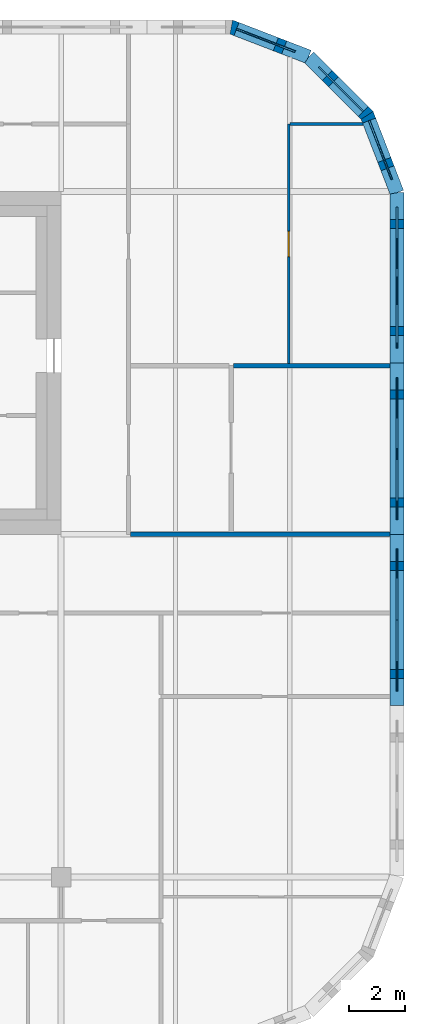
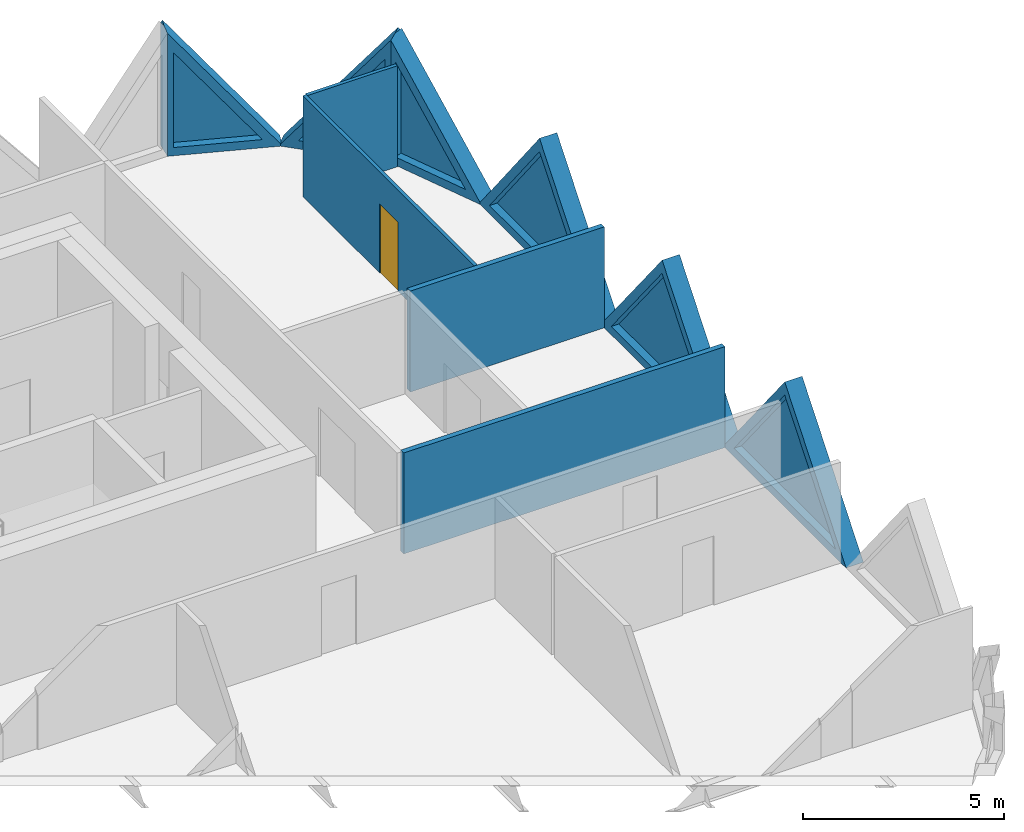
# One storey, part 16 of 19: 10 walls, 6 plates, 1 door, 7 openings.
"""IFC4 building model written with IfcOpenShell, lengths in metres."""

from ifc_helpers import new_model, si_unit, direction, frame, frame_2d, origin, place, context, subcontext, project, spatial, polyline, rectangle, outline, extrude, faceted_brep, source, transform, mapped, material, layer, layer_set, type_object, element, fill, save


model = new_model("IFC4")

# Units and contexts
model_context = context("Model", 3, precision=1e-05, world=origin(), true_north=direction((0.0, 1.0)))
body_context = subcontext(model_context, "Body", "Model", "MODEL_VIEW")
ifc_project = project(units=[si_unit("LENGTHUNIT", "METRE"), si_unit("AREAUNIT", "SQUARE_METRE"), si_unit("VOLUMEUNIT", "CUBIC_METRE"), si_unit("PLANEANGLEUNIT", "RADIAN"), si_unit("MASSUNIT", "GRAM", prefix="KILO")], contexts=[model_context])

# Site, building, storey
site_placement = place(None, origin())
site = spatial("IfcSite", under=ifc_project, at=site_placement, CompositionType="ELEMENT")
building_placement = place(site_placement, origin())
building = spatial("IfcBuilding", under=site, at=building_placement, Name="Tessera Gate Towers", CompositionType="ELEMENT")
storey_placement = place(building_placement, frame((0.0, 0.0, 68.60009765625)))
storey = spatial("IfcBuildingStorey", under=building, at=storey_placement, Name="L16", CompositionType="ELEMENT", Elevation=68.60009765625)

# Wall
ifc_material_1 = material(Name="Gypsum board on steel studs, mineral wool", Category="steel")
ifc_layer_1 = layer(ifc_material_1, 0.14990234375)
ifc_layer_set_1 = layer_set([ifc_layer_1], Name="CORRIDOR WALL 150")
wall_type_1 = type_object("IfcWallType", Name="CORRIDOR WALL 150", PredefinedType="PARTITIONING", material=ifc_layer_set_1)
wall_1_placement = place(storey_placement, frame((124.47607421875, 36.60009765625, 0.0), z_axis=(0.0, 0.0, 1.0), x_axis=(1.0, 0.0, 0.0)))
element("IfcWall", 1, at=wall_1_placement, inside=storey, type_object=wall_type_1, Name="T2-L16-PW-031", PredefinedType="PARTITIONING", context=body_context, shape_type="SweptSolid", body=[
    extrude(rectangle(XDim=9.223876953125, YDim=0.14990234375, at=frame_2d((4.61181640625, 0.0))), origin(), (0.0, 0.0, 1.0), 3.06689453125),
])

# Wall, opening, door
ifc_material_2 = material(Name="Glass", Category="glass")
ifc_layer_2 = layer(ifc_material_2, 0.10009765625)
ifc_layer_set_2 = layer_set([ifc_layer_2], Name="GLAZED PARTITION 100")
wall_type_2 = type_object("IfcWallType", Name="GLAZED PARTITION 100", PredefinedType="PARTITIONING", material=ifc_layer_set_2)
wall_2_placement = place(storey_placement, frame((130.10009765625, 51.199951171875, 0.0), z_axis=(0.0, 0.0, 1.0), x_axis=(0.0, -1.0, 0.0)))
wall_2 = element("IfcWall", 2, at=wall_2_placement, inside=storey, type_object=wall_type_2, Name="T2-L16-PW-038", PredefinedType="PARTITIONING", context=body_context, shape_type="SweptSolid", body=[
    extrude(rectangle(XDim=8.52392578125, YDim=0.10009765625, at=frame_2d((4.261962890625, 0.0))), origin(), (0.0, 0.0, 1.0), 3.06689453125),
])
shared_shape_1 = source(origin(), body_context, "Body", "SweptSolid", [
    extrude(rectangle(XDim=0.89990234375, YDim=2.10009765625, at=frame_2d((0.449951171875, 1.050048828125))), frame((0.0, 0.06005859375, 0.0), z_axis=(0.0, -1.0, 0.0), x_axis=(1.0, 0.0, 0.0)), (0.0, 0.0, 1.0), 0.1201171875),
])
opening_1_placement = place(wall_2_placement, frame((3.823974609375, 0.0, 0.0)))
opening_1 = element("IfcOpeningElement", 3, at=opening_1_placement, cuts=wall_2, Name="Opening D690-B07-03", PredefinedType="OPENING", context=body_context, shape_type="MappedRepresentation", body=[
    mapped(shared_shape_1, transform((0.0, 0.0, 0.0), scale=1.0)),
])
ifc_material_3 = material(Name="Glass in aluminium frame", Category="aluminium")
door_type = type_object("IfcDoorType", Name="GLAZED DOOR 900 NOT RATED", OperationType="NOTDEFINED", PredefinedType="DOOR", material=ifc_material_3)
shared_shape_2 = source(origin(), body_context, "Body", "SweptSolid", [
    extrude(rectangle(XDim=0.89990234375, YDim=2.10009765625, at=frame_2d((0.449951171875, 1.050048828125))), frame((0.0, 0.02490234375, 0.0), z_axis=(0.0, -1.0, 0.0), x_axis=(1.0, 0.0, 0.0)), (0.0, 0.0, 1.0), 0.050048828125),
])
door_placement = place(opening_1_placement, origin())
door = element("IfcDoor", 4, at=door_placement, inside=storey, type_object=door_type, Name="T2-L16-PD-026", OperationType="SINGLE_SWING_RIGHT", OverallHeight=2.10009765625, OverallWidth=0.89990234375, PredefinedType="DOOR", context=body_context, shape_type="MappedRepresentation", body=[
    mapped(shared_shape_2, transform((0.0, 0.0, 0.0), scale=1.0)),
])
fill(opening_1, door)

# Walls
wall_3_placement = place(storey_placement, frame((130.15087890625, 51.199951171875, 0.0), z_axis=(0.0, 0.0, 1.0), x_axis=(1.0, 0.0, 0.0)))
element("IfcWall", 5, at=wall_3_placement, inside=storey, type_object=wall_type_2, Name="T2-L16-PW-048", PredefinedType="PARTITIONING", context=body_context, shape_type="SweptSolid", body=[
    extrude(rectangle(XDim=2.58740234375, YDim=0.10009765625, at=frame_2d((1.293701171875, 0.0))), origin(), (0.0, 0.0, 1.0), 3.06689453125),
])
ifc_material_4 = material(Name="Gypsum board on steel studs, mineral wool", Category="steel")
ifc_layer_3 = layer(ifc_material_4, 0.14990234375)
ifc_layer_set_3 = layer_set([ifc_layer_3], Name="TENANCY WALL 150")
wall_type_3 = type_object("IfcWallType", Name="TENANCY WALL 150", PredefinedType="PARTITIONING", material=ifc_layer_set_3)
wall_4_placement = place(storey_placement, frame((128.1259765625, 42.60009765625, 0.0), z_axis=(0.0, 0.0, 1.0), x_axis=(1.0, 0.0, 0.0)))
element("IfcWall", 6, at=wall_4_placement, inside=storey, type_object=wall_type_3, Name="T2-L16-PW-037", PredefinedType="PARTITIONING", context=body_context, shape_type="SweptSolid", body=[
    extrude(rectangle(XDim=5.573974609375, YDim=0.14990234375, at=frame_2d((2.787109375, 0.0))), origin(), (0.0, 0.0, 1.0), 3.06689453125),
])

# Wall, opening, plate
ifc_material_5 = material(Name="Precast concrete C60/75 white", Category="concrete")
ifc_layer_4 = layer(ifc_material_5, 0.5)
ifc_layer_set_4 = layer_set([ifc_layer_4], Name="TS2 half tessera")
wall_type_4 = type_object("IfcWallType", Name="TS2 half tessera", PredefinedType="SOLIDWALL", material=ifc_layer_set_4)
shared_shape_3 = source(origin(), body_context, "Body", "Brep", [
    faceted_brep([(6.099853515625, -0.25, 0.000244140625), (3.050048828125, -0.25, 3.7998046875), (0.0, -0.25, 0.0), (6.099853515625, -0.25, 0.0), (0.0, 0.25, 0.0), (3.050048828125, 0.25, 3.7998046875), (6.099853515625, 0.25, 0.000244140625), (6.099853515625, 0.25, 0.0)], [[[0, 1, 2, 3]], [[4, 5, 6, 7]], [[6, 5, 1, 0]], [[5, 4, 2, 1]], [[4, 7, 3, 2]], [[3, 7, 6, 0]]]),
])
wall_5_placement = place(storey_placement, frame((133.949951171875, 36.60009765625, 0.0), z_axis=(0.0, 0.0, 1.0), x_axis=(0.0, 1.0, 0.0)))
wall_5 = element("IfcWall", 7, at=wall_5_placement, inside=storey, type_object=wall_type_4, Name="Precast half tessera T2 TS2-0079", PredefinedType="SOLIDWALL", context=body_context, shape_type="MappedRepresentation", body=[
    mapped(shared_shape_3, transform((0.0, 0.0, 0.0), scale=1.0)),
])
shared_shape_4 = source(origin(), body_context, "Body", "SweptSolid", [
    extrude(outline(polyline([(5.578857421875, 0.25), (3.050048828125, 3.400390625), (0.521240234375, 0.25), (5.578857421875, 0.25)])), frame((0.0, 0.260009765625, 0.0), z_axis=(0.0, -1.0, 0.0), x_axis=(1.0, 0.0, 0.0)), (0.0, 0.0, 1.0), 0.52001953125),
])
opening_2_placement = place(wall_5_placement, origin())
opening_2 = element("IfcOpeningElement", 8, at=opening_2_placement, cuts=wall_5, Name="Opening T2-PL1-0149", PredefinedType="OPENING", context=body_context, shape_type="MappedRepresentation", body=[
    mapped(shared_shape_4, transform((0.0, 0.0, 0.0), scale=1.0)),
])
ifc_material_6 = material(Name="Low-e laminated glass", Category="glass")
ifc_layer_5 = layer(ifc_material_6, 0.06005859375)
ifc_layer_set_5 = layer_set([ifc_layer_5], Name="PL1 triangular pane")
plate_type = type_object("IfcPlateType", Name="PL1 triangular pane", PredefinedType="SHEET", material=ifc_layer_set_5)
shared_shape_5 = source(origin(), body_context, "Body", "SweptSolid", [
    extrude(outline(polyline([(5.578857421875, 0.25), (3.050048828125, 3.400390625), (0.521240234375, 0.25), (5.578857421875, 0.25)])), frame((0.0, 0.030029296875, 0.0), z_axis=(0.0, -1.0, 0.0), x_axis=(1.0, 0.0, 0.0)), (0.0, 0.0, 1.0), 0.06005859375),
])
plate_1_placement = place(opening_2_placement, origin())
plate_1 = element("IfcPlate", 9, at=plate_1_placement, inside=storey, type_object=plate_type, Name="Glass pane T2 PL1-0149", PredefinedType="SHEET", context=body_context, shape_type="MappedRepresentation", body=[
    mapped(shared_shape_5, transform((0.0, 0.0, 0.0), scale=1.0)),
])
fill(opening_2, plate_1)

shared_shape_6 = source(origin(), body_context, "Body", "SweptSolid", [
    extrude(outline(polyline([(6.10009765625, 0.0), (3.050048828125, 3.7998046875), (0.0, 0.0), (6.10009765625, 0.0)])), frame((0.0, 0.25, 0.0), z_axis=(0.0, -1.0, 0.0), x_axis=(1.0, 0.0, 0.0)), (0.0, 0.0, 1.0), 0.5),
])
wall_6_placement = place(storey_placement, frame((133.949951171875, 30.5, 0.0), z_axis=(0.0, 0.0, 1.0), x_axis=(0.0, 1.0, 0.0)))
wall_6 = element("IfcWall", 10, at=wall_6_placement, inside=storey, type_object=wall_type_4, Name="Precast half tessera T2 TS2-0078", PredefinedType="SOLIDWALL", context=body_context, shape_type="MappedRepresentation", body=[
    mapped(shared_shape_6, transform((0.0, 0.0, 0.0), scale=1.0)),
])
opening_3_placement = place(wall_6_placement, origin())
opening_3 = element("IfcOpeningElement", 11, at=opening_3_placement, cuts=wall_6, Name="Opening T2-PL1-0148", PredefinedType="OPENING", context=body_context, shape_type="MappedRepresentation", body=[
    mapped(shared_shape_4, transform((0.0, 0.0, 0.0), scale=1.0)),
])
plate_2_placement = place(opening_3_placement, origin())
plate_2 = element("IfcPlate", 12, at=plate_2_placement, inside=storey, type_object=plate_type, Name="Glass pane T2 PL1-0148", PredefinedType="SHEET", context=body_context, shape_type="MappedRepresentation", body=[
    mapped(shared_shape_5, transform((0.0, 0.0, 0.0), scale=1.0)),
])
fill(opening_3, plate_2)

shared_shape_7 = source(origin(), body_context, "Body", "Brep", [
    faceted_brep([(6.053466796875, -0.25, 0.0), (3.050048828125, -0.25, 3.7998046875), (0.0, -0.25, 0.0), (0.0, 0.25, 0.0), (3.050048828125, 0.25, 3.7998046875), (6.0068359375, 0.25, 0.058837890625), (6.0068359375, 0.25, 0.0), (6.053466796875, 0.0, 0.0)], [[[0, 1, 2]], [[3, 4, 5, 6]], [[5, 4, 1, 0, 7]], [[4, 3, 2, 1]], [[3, 6, 7, 0, 2]], [[7, 6, 5]]]),
])
wall_7_placement = place(storey_placement, frame((133.949951171875, 42.699951171875, 0.0), z_axis=(0.0, 0.0, 1.0), x_axis=(0.0, 1.0, 0.0)))
wall_7 = element("IfcWall", 13, at=wall_7_placement, inside=storey, type_object=wall_type_4, Name="Precast half tessera T2 TS2-0080", PredefinedType="SOLIDWALL", context=body_context, shape_type="MappedRepresentation", body=[
    mapped(shared_shape_7, transform((0.0, 0.0, 0.0), scale=1.0)),
])
shared_shape_8 = source(origin(), body_context, "Body", "SweptSolid", [
    extrude(outline(polyline([(5.537109375, 0.25), (3.048583984375, 3.398681640625), (0.521240234375, 0.25), (5.537109375, 0.25)])), frame((0.0, 0.260009765625, 0.0), z_axis=(0.0, -1.0, 0.0), x_axis=(1.0, 0.0, 0.0)), (0.0, 0.0, 1.0), 0.52001953125),
])
opening_4_placement = place(wall_7_placement, origin())
opening_4 = element("IfcOpeningElement", 14, at=opening_4_placement, cuts=wall_7, Name="Opening T2-PL1-0150", PredefinedType="OPENING", context=body_context, shape_type="MappedRepresentation", body=[
    mapped(shared_shape_8, transform((0.0, 0.0, 0.0), scale=1.0)),
])
shared_shape_9 = source(origin(), body_context, "Body", "SweptSolid", [
    extrude(outline(polyline([(5.537109375, 0.25), (3.048583984375, 3.398681640625), (0.521240234375, 0.25), (5.537109375, 0.25)])), frame((0.0, 0.030029296875, 0.0), z_axis=(0.0, -1.0, 0.0), x_axis=(1.0, 0.0, 0.0)), (0.0, 0.0, 1.0), 0.06005859375),
])
plate_3_placement = place(opening_4_placement, origin())
plate_3 = element("IfcPlate", 15, at=plate_3_placement, inside=storey, type_object=plate_type, Name="Glass pane T2 PL1-0150", PredefinedType="SHEET", context=body_context, shape_type="MappedRepresentation", body=[
    mapped(shared_shape_9, transform((0.0, 0.0, 0.0), scale=1.0)),
])
fill(opening_4, plate_3)

ifc_material_7 = material(Name="Precast concrete C60/75 white", Category="concrete")
ifc_layer_6 = layer(ifc_material_7, 0.5)
ifc_layer_set_6 = layer_set([ifc_layer_6], Name="TS3 corner tessera")
wall_type_5 = type_object("IfcWallType", Name="TS3 corner tessera", PredefinedType="SOLIDWALL", material=ifc_layer_set_6)
shared_shape_10 = source(origin(), body_context, "Body", "Brep", [
    faceted_brep([(2.9970703125, -0.25, 3.74072265625), (2.950439453125, -0.25, 3.7998046875), (0.0, -0.25, 0.0), (2.9970703125, -0.25, 0.0), (0.052978515625, 0.25, 0.068115234375), (2.904052734375, 0.25, 3.739990234375), (2.904052734375, 0.25, 0.0), (0.052978515625, 0.25, 0.0), (2.950439453125, 0.00048828125, 3.7998046875), (0.0, 0.0, 0.0)], [[[0, 1, 2, 3]], [[4, 5, 6, 7]], [[8, 1, 0]], [[5, 4, 9, 2, 1, 8]], [[7, 6, 3, 2, 9]], [[7, 9, 4]], [[3, 6, 5, 8, 0]]]),
])
wall_8_placement = place(storey_placement, frame((130.80615234375, 53.588134765625, 0.0), z_axis=(0.0, 0.0, 1.0), x_axis=(-0.932990326376, 0.359901446078, 0.0)))
wall_8 = element("IfcWall", 16, at=wall_8_placement, inside=storey, type_object=wall_type_5, Name="Precast corner tessera T2 TS3-0233", PredefinedType="SOLIDWALL", context=body_context, shape_type="MappedRepresentation", body=[
    mapped(shared_shape_10, transform((0.0, 0.0, 0.0), scale=1.0)),
])
shared_shape_11 = source(origin(), body_context, "Body", "SweptSolid", [
    extrude(outline(polyline([(2.75048828125, 3.134765625), (0.5107421875, 0.25), (2.75048828125, 0.25), (2.75048828125, 3.134765625)])), frame((0.0, 0.260009765625, 0.0), z_axis=(0.0, -1.0, 0.0), x_axis=(1.0, 0.0, 0.0)), (0.0, 0.0, 1.0), 0.52001953125),
])
opening_5_placement = place(wall_8_placement, origin())
opening_5 = element("IfcOpeningElement", 17, at=opening_5_placement, cuts=wall_8, Name="Opening T2-PL1-0153", PredefinedType="OPENING", context=body_context, shape_type="MappedRepresentation", body=[
    mapped(shared_shape_11, transform((0.0, 0.0, 0.0), scale=1.0)),
])
shared_shape_12 = source(origin(), body_context, "Body", "SweptSolid", [
    extrude(outline(polyline([(2.75048828125, 3.134765625), (0.5107421875, 0.25), (2.75048828125, 0.25), (2.75048828125, 3.134765625)])), frame((0.0, 0.030029296875, 0.0), z_axis=(0.0, -1.0, 0.0), x_axis=(1.0, 0.0, 0.0)), (0.0, 0.0, 1.0), 0.06005859375),
])
plate_4_placement = place(opening_5_placement, origin())
plate_4 = element("IfcPlate", 18, at=plate_4_placement, inside=storey, type_object=plate_type, Name="Glass pane T2 PL1-0153", PredefinedType="SHEET", context=body_context, shape_type="MappedRepresentation", body=[
    mapped(shared_shape_12, transform((0.0, 0.0, 0.0), scale=1.0)),
])
fill(opening_5, plate_4)

shared_shape_13 = source(origin(), body_context, "Body", "Brep", [
    faceted_brep([(2.9970703125, -0.25, 0.0), (0.052978515625, -0.25, 3.7998046875), (0.0, -0.25, 3.731689453125), (0.0, -0.25, 0.0), (0.10595703125, 0.25, 3.7314453125), (2.944091796875, 0.25, 0.068115234375), (2.944091796875, 0.25, 0.0), (0.10595703125, 0.25, 0.0), (0.052978515625, 0.0, 3.7998046875), (2.9970703125, 0.000244140625, 0.0)], [[[0, 1, 2, 3]], [[4, 5, 6, 7]], [[5, 4, 8, 1, 0, 9]], [[2, 1, 8]], [[7, 6, 9, 0, 3]], [[7, 3, 2, 8, 4]], [[9, 6, 5]]]),
])
wall_9_placement = place(storey_placement, frame((132.925537109375, 51.46875, 0.0), z_axis=(0.0, 0.0, 1.0), x_axis=(-0.707066050402, 0.707147509625, 0.0)))
wall_9 = element("IfcWall", 19, at=wall_9_placement, inside=storey, type_object=wall_type_5, Name="Precast corner tessera T2 TS3-0232", PredefinedType="SOLIDWALL", context=body_context, shape_type="MappedRepresentation", body=[
    mapped(shared_shape_13, transform((0.0, 0.0, 0.0), scale=1.0)),
])
shared_shape_14 = source(origin(), body_context, "Body", "SweptSolid", [
    extrude(outline(polyline([(2.487060546875, 0.25), (0.2529296875, 3.133544921875), (0.2529296875, 0.25), (2.487060546875, 0.25)])), frame((0.0, 0.260009765625, 0.0), z_axis=(0.0, -1.0, 0.0), x_axis=(1.0, 0.0, 0.0)), (0.0, 0.0, 1.0), 0.52001953125),
])
opening_6_placement = place(wall_9_placement, origin())
opening_6 = element("IfcOpeningElement", 20, at=opening_6_placement, cuts=wall_9, Name="Opening T2-PL1-0152", PredefinedType="OPENING", context=body_context, shape_type="MappedRepresentation", body=[
    mapped(shared_shape_14, transform((0.0, 0.0, 0.0), scale=1.0)),
])
shared_shape_15 = source(origin(), body_context, "Body", "SweptSolid", [
    extrude(outline(polyline([(2.487060546875, 0.25), (0.2529296875, 3.133544921875), (0.2529296875, 0.25), (2.487060546875, 0.25)])), frame((0.0, 0.030029296875, 0.0), z_axis=(0.0, -1.0, 0.0), x_axis=(1.0, 0.0, 0.0)), (0.0, 0.0, 1.0), 0.06005859375),
])
plate_5_placement = place(opening_6_placement, origin())
plate_5 = element("IfcPlate", 21, at=plate_5_placement, inside=storey, type_object=plate_type, Name="Glass pane T2 PL1-0152", PredefinedType="SHEET", context=body_context, shape_type="MappedRepresentation", body=[
    mapped(shared_shape_15, transform((0.0, 0.0, 0.0), scale=1.0)),
])
fill(opening_6, plate_5)

shared_shape_16 = source(origin(), body_context, "Body", "Brep", [
    faceted_brep([(3.00341796875, -0.25, 3.7314453125), (2.950439453125, -0.25, 3.7998046875), (0.0, -0.25, 0.0), (3.00341796875, -0.25, 0.0), (0.046630859375, 0.25, 0.06005859375), (2.897705078125, 0.25, 3.731689453125), (2.897705078125, 0.25, 0.0), (0.046630859375, 0.25, 0.0), (2.950439453125, 0.00048828125, 3.7998046875), (0.0, 0.0, 0.0)], [[[0, 1, 2, 3]], [[4, 5, 6, 7]], [[8, 1, 0]], [[5, 4, 9, 2, 1, 8]], [[7, 6, 3, 2, 9]], [[7, 9, 4]], [[3, 6, 5, 8, 0]]]),
])
wall_10_placement = place(storey_placement, frame((133.949951171875, 48.75341796875, 0.0), z_axis=(0.0, 0.0, 1.0), x_axis=(-0.359855894603, 0.933007896601, 0.0)))
wall_10 = element("IfcWall", 22, at=wall_10_placement, inside=storey, type_object=wall_type_5, Name="Precast corner tessera T2 TS3-0231", PredefinedType="SOLIDWALL", context=body_context, shape_type="MappedRepresentation", body=[
    mapped(shared_shape_16, transform((0.0, 0.0, 0.0), scale=1.0)),
])
opening_7_placement = place(wall_10_placement, origin())
opening_7 = element("IfcOpeningElement", 23, at=opening_7_placement, cuts=wall_10, Name="Opening T2-PL1-0151", PredefinedType="OPENING", context=body_context, shape_type="MappedRepresentation", body=[
    mapped(shared_shape_11, transform((0.0, 0.0, 0.0), scale=1.0)),
])
plate_6_placement = place(opening_7_placement, origin())
plate_6 = element("IfcPlate", 24, at=plate_6_placement, inside=storey, type_object=plate_type, Name="Glass pane T2 PL1-0151", PredefinedType="SHEET", context=body_context, shape_type="MappedRepresentation", body=[
    mapped(shared_shape_12, transform((0.0, 0.0, 0.0), scale=1.0)),
])
fill(opening_7, plate_6)

save(model, "model.ifc")
